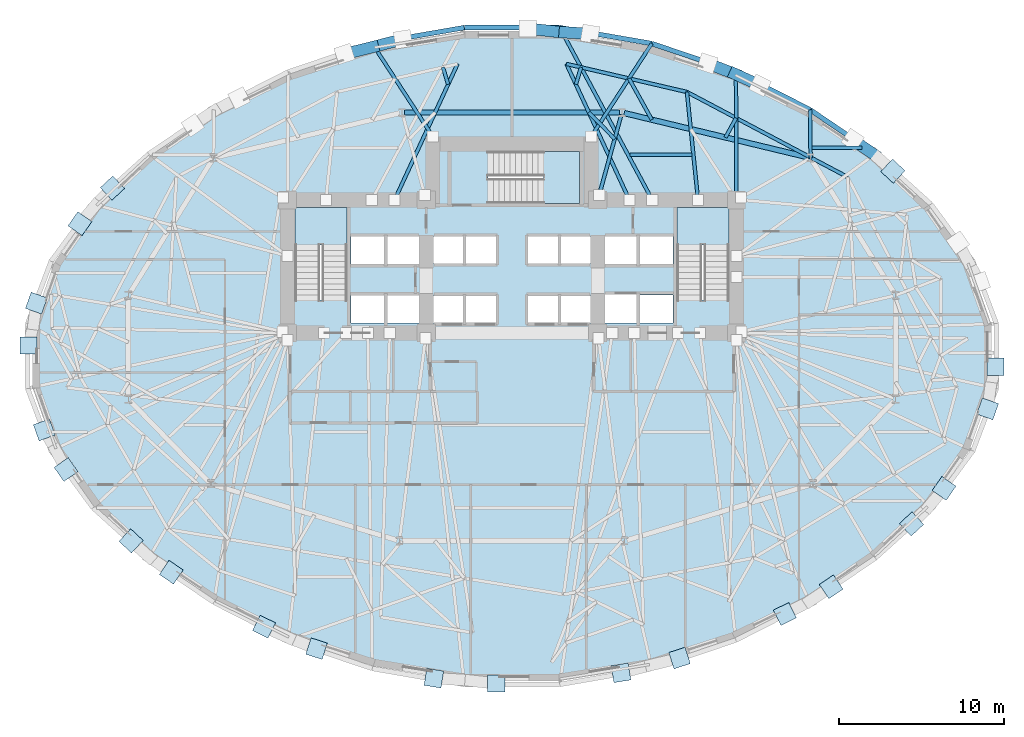
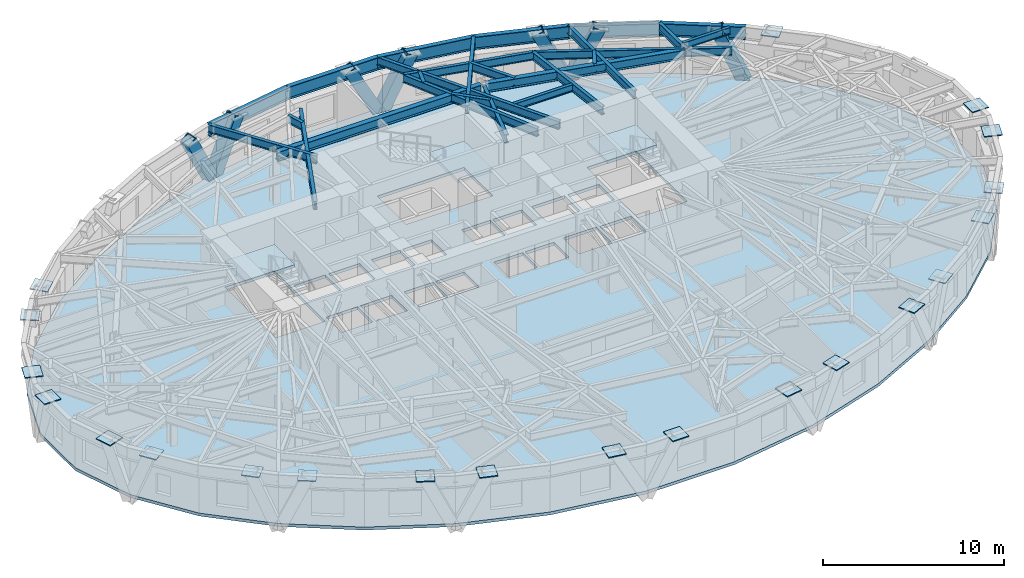
# One storey, part 5 of 14: 26 beams, 21 plates, 7 members, 4 slabs, 3 elements without a shape of their own.
"""IFC4 building model written with IfcOpenShell, lengths in metres."""

from ifc_helpers import new_model, si_unit, direction, frame, origin, origin_2d, place, context, subcontext, project, spatial, polyline, rectangle, hollow_rectangle, i_section, outline, extrude, material, layer, layer_set, material_profile, profile_set, type_object, element, aggregate, save


model = new_model("IFC4")

# Units and contexts
model_context = context("Model", 3, precision=1e-05, world=origin(), true_north=direction((0.0, 1.0)))
body_context = subcontext(model_context, "Body", "Model", "MODEL_VIEW")
ifc_project = project(units=[si_unit("LENGTHUNIT", "METRE"), si_unit("AREAUNIT", "SQUARE_METRE"), si_unit("VOLUMEUNIT", "CUBIC_METRE"), si_unit("PLANEANGLEUNIT", "RADIAN"), si_unit("MASSUNIT", "GRAM", prefix="KILO")], contexts=[model_context])

# Site, building, storey
site_placement = place(None, origin())
site = spatial("IfcSite", under=ifc_project, at=site_placement, CompositionType="ELEMENT")
building_placement = place(site_placement, origin())
building = spatial("IfcBuilding", under=site, at=building_placement, Name="Keldmark Tower", CompositionType="ELEMENT")
storey_placement = place(building_placement, frame((0.0, 0.0, 59.39990234375)))
storey = spatial("IfcBuildingStorey", under=building, at=storey_placement, Name="L15", CompositionType="ELEMENT", Elevation=59.39990234375)

# Beams
ifc_material_1 = material(Name="Steel ASTM A992 Grade 50", Category="steel")
ifc_material_profile_1 = material_profile(ifc_material_1, i_section(OverallWidth=0.19091796875, OverallDepth=0.45703125, WebThickness=0.009033203125, FlangeThickness=0.014404296875, at=origin_2d()), Name="W18X50")
ifc_profile_set_1 = profile_set([ifc_material_profile_1], Name="Steel ASTM A992 Grade 50")
beam_type_1 = type_object("IfcBeamType", Name="Composite Floor Joist W18X50", PredefinedType="JOIST", material=ifc_profile_set_1)
beam_1_placement = place(storey_placement, frame((7.14013671875, 12.199951171875, 3.171630859375), z_axis=(1.0, 0.0, 0.0), x_axis=(0.0, 1.0, 0.0)))
element("IfcBeam", 1, at=beam_1_placement, inside=storey, type_object=beam_type_1, Name="L15 Composite Floor Joist J17", PredefinedType="JOIST", context=body_context, shape_type="SweptSolid", body=[
    extrude(i_section(OverallWidth=0.19091796875, OverallDepth=0.45703125, WebThickness=0.009033203125, FlangeThickness=0.014404296875, at=origin_2d()), origin(), (0.0, 0.0, 1.0), 3.758544921875),
])
beam_2_placement = place(storey_placement, frame((18.1875, 12.6201171875, 3.171630859375), z_axis=(1.0, 0.0, 0.0), x_axis=(0.0, 1.0, 0.0)))
element("IfcBeam", 2, at=beam_2_placement, inside=storey, type_object=beam_type_1, Name="L15 Composite Floor Joist J18", PredefinedType="JOIST", context=body_context, shape_type="SweptSolid", body=[
    extrude(i_section(OverallWidth=0.19091796875, OverallDepth=0.45703125, WebThickness=0.009033203125, FlangeThickness=0.014404296875, at=origin_2d()), origin(), (0.0, 0.0, 1.0), 3.035400390625),
])

# Members
ifc_material_2 = material(Name="Steel ASTM A572 Grade 50", Category="steel")
ifc_material_profile_2 = material_profile(ifc_material_2, hollow_rectangle(XDim=0.699951171875, YDim=0.699951171875, WallThickness=0.054931640625, at=origin_2d()), Name="BOX700X700X55")
ifc_profile_set_2 = profile_set([ifc_material_profile_2], Name="Steel ASTM A572 Grade 50")
member_type = type_object("IfcMemberType", Name="Diagrid Zone 1 Brace BOX700X700X55", PredefinedType="BRACE", material=ifc_profile_set_2)
member_1_placement = place(storey_placement, frame((21.9599609375, 12.2060546875, -0.27978515625), z_axis=(-0.335180886725, 0.23055432956, 0.91350888025), x_axis=(-0.566724882809, -0.823907098649, 0.0)))
element("IfcMember", 3, at=member_1_placement, inside=storey, type_object=member_type, Name="L15 Perimeter Diagrid Brace 02B", PredefinedType="BRACE", context=body_context, shape_type="SweptSolid", body=[
    extrude(hollow_rectangle(XDim=0.699951171875, YDim=0.699951171875, WallThickness=0.054931640625, at=origin_2d()), origin(), (0.0, 0.0, 1.0), 3.89697265625),
])
member_2_placement = place(storey_placement, frame((13.48681640625, 17.1083984375, -0.27978515625), z_axis=(0.392084661773, -0.177781362269, 0.902587062411), x_axis=(0.412957768133, 0.910750175262, 0.0)))
element("IfcMember", 4, at=member_2_placement, inside=storey, type_object=member_type, Name="L15 Perimeter Diagrid Brace 03A", PredefinedType="BRACE", context=body_context, shape_type="SweptSolid", body=[
    extrude(hollow_rectangle(XDim=0.699951171875, YDim=0.699951171875, WallThickness=0.054931640625, at=origin_2d()), origin(), (0.0, 0.0, 1.0), 3.944091796875),
])
member_3_placement = place(storey_placement, frame((13.49658203125, 17.101806640625, -0.27978515625), z_axis=(-0.415439580349, 0.160096228525, 0.895421215235), x_axis=(-0.359589032311, -0.933110780048, 0.0)))
element("IfcMember", 5, at=member_3_placement, inside=storey, type_object=member_type, Name="L15 Perimeter Diagrid Brace 03B", PredefinedType="BRACE", context=body_context, shape_type="SweptSolid", body=[
    extrude(hollow_rectangle(XDim=0.699951171875, YDim=0.699951171875, WallThickness=0.054931640625, at=origin_2d()), origin(), (0.0, 0.0, 1.0), 3.9755859375),
])
member_4_placement = place(storey_placement, frame((2.844482421875, 19.642822265625, -0.27978515625), z_axis=(0.468860985223, -0.028637815859, 0.882807596274), x_axis=(0.060965928199, 0.998139847716, 0.0)))
element("IfcMember", 6, at=member_4_placement, inside=storey, type_object=member_type, Name="L15 Perimeter Diagrid Brace 04A", PredefinedType="BRACE", context=body_context, shape_type="SweptSolid", body=[
    extrude(hollow_rectangle(XDim=0.699951171875, YDim=0.699951171875, WallThickness=0.054931640625, at=origin_2d()), origin(), (0.0, 0.0, 1.0), 4.032470703125),
])
member_5_placement = place(storey_placement, frame((2.856201171875, 19.640380859375, -0.27978515625), z_axis=(-0.46989619452, 0.051310851337, 0.881229120553), x_axis=(-0.108550889837, -0.994090893387, 0.0)))
element("IfcMember", 7, at=member_5_placement, inside=storey, type_object=member_type, Name="L15 Perimeter Diagrid Brace 04B", PredefinedType="BRACE", context=body_context, shape_type="SweptSolid", body=[
    extrude(hollow_rectangle(XDim=0.699951171875, YDim=0.699951171875, WallThickness=0.054931640625, at=origin_2d()), origin(), (0.0, 0.0, 1.0), 4.03955078125),
])
member_6_placement = place(storey_placement, frame((-8.4052734375, 18.739013671875, -0.27978515625), z_axis=(0.447842447111, 0.115472207341, 0.886624673635), x_axis=(-0.249675217965, 0.968329636815, 0.0)))
element("IfcMember", 8, at=member_6_placement, inside=storey, type_object=member_type, Name="L15 Perimeter Diagrid Brace 05A", PredefinedType="BRACE", context=body_context, shape_type="SweptSolid", body=[
    extrude(hollow_rectangle(XDim=0.699951171875, YDim=0.699951171875, WallThickness=0.054931640625, at=origin_2d()), origin(), (0.0, 0.0, 1.0), 4.01513671875),
])
member_7_placement = place(storey_placement, frame((-8.393798828125, 18.7412109375, -0.27978515625), z_axis=(-0.441031186256, -0.108394198451, 0.890922101248), x_axis=(0.238671651166, -0.971100325883, 0.0)))
element("IfcMember", 9, at=member_7_placement, inside=storey, type_object=member_type, Name="L15 Perimeter Diagrid Brace 05B", PredefinedType="BRACE", context=body_context, shape_type="SweptSolid", body=[
    extrude(hollow_rectangle(XDim=0.699951171875, YDim=0.699951171875, WallThickness=0.054931640625, at=origin_2d()), origin(), (0.0, 0.0, 1.0), 3.99560546875),
])

# Beams
ifc_material_3 = material(Name="Steel ASTM A992 Grade 50", Category="steel")
ifc_material_profile_3 = material_profile(ifc_material_3, i_section(OverallWidth=0.323974609375, OverallDepth=0.611083984375, WebThickness=0.0126953125, FlangeThickness=0.01904296875, at=origin_2d()), Name="W24X104")
ifc_profile_set_3 = profile_set([ifc_material_profile_3], Name="Steel ASTM A992 Grade 50")
beam_type_2 = type_object("IfcBeamType", Name="Primary Floor Girder W24X104", PredefinedType="BEAM", material=ifc_profile_set_3)
beam_3_placement = place(storey_placement, frame((17.961669921875, 12.040283203125, 3.094482421875), z_axis=(-0.972218707757, 0.2340743136, 0.0), x_axis=(-0.2340743136, -0.972218707757, 0.0)))
element("IfcBeam", 10, at=beam_3_placement, inside=storey, type_object=beam_type_2, Name="L15 Floor Ring Girder FG-R02", PredefinedType="BEAM", context=body_context, shape_type="SweptSolid", body=[
    extrude(i_section(OverallWidth=0.323974609375, OverallDepth=0.611083984375, WebThickness=0.0126953125, FlangeThickness=0.01904296875, at=origin_2d()), origin(), (0.0, 0.0, 1.0), 11.479248046875),
])
beam_4_placement = place(storey_placement, frame((6.525146484375, 14.760009765625, 3.094482421875), z_axis=(-1.0, 0.0, 0.0), x_axis=(0.0, -1.0, 0.0)))
element("IfcBeam", 11, at=beam_4_placement, inside=storey, type_object=beam_type_2, Name="L15 Floor Ring Girder FG-R03", PredefinedType="BEAM", context=body_context, shape_type="SweptSolid", body=[
    extrude(i_section(OverallWidth=0.323974609375, OverallDepth=0.611083984375, WebThickness=0.0126953125, FlangeThickness=0.01904296875, at=origin_2d()), origin(), (0.0, 0.0, 1.0), 13.05029296875),
])
ifc_material_4 = material(Name="Steel ASTM A992 Grade 50", Category="steel")
ifc_material_profile_4 = material_profile(ifc_material_4, i_section(OverallWidth=0.2099609375, OverallDepth=0.537109375, WebThickness=0.010986328125, FlangeThickness=0.017333984375, at=origin_2d()), Name="W21X68")
ifc_profile_set_4 = profile_set([ifc_material_profile_4], Name="Steel ASTM A992 Grade 50")
beam_type_3 = type_object("IfcBeamType", Name="Radial Tie Girder W21X68", PredefinedType="BEAM", material=ifc_profile_set_4)
beam_5_placement = place(storey_placement, frame((11.278564453125, 9.449951171875, 3.131591796875), z_axis=(-0.10246421602, 0.994736691007, 0.0), x_axis=(-0.994736691007, -0.10246421602, 0.0)))
element("IfcBeam", 12, at=beam_5_placement, inside=storey, type_object=beam_type_3, Name="L15 Sub-Ring Step Girder STP1-M02", PredefinedType="BEAM", context=body_context, shape_type="SweptSolid", body=[
    extrude(i_section(OverallWidth=0.2099609375, OverallDepth=0.537109375, WebThickness=0.010986328125, FlangeThickness=0.017333984375, at=origin_2d()), origin(), (0.0, 0.0, 1.0), 6.588134765625),
])
beam_6_placement = place(storey_placement, frame((6.22509765625, 13.1650390625, 3.131591796875), z_axis=(-0.6999653852, 0.7141767705, 0.0), x_axis=(-0.7141767705, -0.6999653852, 0.0)))
element("IfcBeam", 13, at=beam_6_placement, inside=storey, type_object=beam_type_3, Name="L15 Framing Pin Header PH-003", PredefinedType="BEAM", context=body_context, shape_type="SweptSolid", body=[
    extrude(i_section(OverallWidth=0.2099609375, OverallDepth=0.537109375, WebThickness=0.010986328125, FlangeThickness=0.017333984375, at=origin_2d()), origin(), (0.0, 0.0, 1.0), 2.2333984375),
])
for number, where, z_axis, x_axis, name in (
    (14, (7.121337890625, 9.449951171875, 3.131591796875), (-0.420288061242, 0.907390734787, 0.0), (-0.907390734787, -0.420288061242, 0.0), "L15 Sub-Ring Step Girder STP1-M03"),
    (15, (-7.121337890625, 9.449951171875, 3.131591796875), (0.420288061242, 0.907390734787, 0.0), (-0.907390734787, 0.420288061242, 0.0), "L15 Sub-Ring Step Girder STP1-M04"),
):
    element("IfcBeam", number, at=place(storey_placement, frame(where, z_axis=z_axis, x_axis=x_axis)), inside=storey, type_object=beam_type_3, Name=name, PredefinedType="BEAM", context=body_context, shape_type="SweptSolid", body=[
        extrude(i_section(OverallWidth=0.2099609375, OverallDepth=0.537109375, WebThickness=0.010986328125, FlangeThickness=0.017333984375, at=origin_2d()), origin(), (0.0, 0.0, 1.0), 9.098388671875),
    ])
beam_7_placement = place(storey_placement, frame((20.339599609375, 10.85009765625, 3.131591796875), z_axis=(-0.883828345093, 0.46781134703, 0.0), x_axis=(-0.46781134703, -0.883828345093, 0.0)))
element("IfcBeam", 16, at=beam_7_placement, inside=storey, type_object=beam_type_3, Name="L15 Perimeter Collector Ring Beam CRG1-M01", PredefinedType="BEAM", context=body_context, shape_type="SweptSolid", body=[
    extrude(i_section(OverallWidth=0.2099609375, OverallDepth=0.537109375, WebThickness=0.010986328125, FlangeThickness=0.017333984375, at=origin_2d()), origin(), (0.0, 0.0, 1.0), 11.015869140625),
])
beam_8_placement = place(storey_placement, frame((10.603515625, 16.00341796875, 3.131591796875), z_axis=(-0.973911258142, 0.226929198791, 0.0), x_axis=(-0.226929198791, -0.973911258142, 0.0)))
element("IfcBeam", 17, at=beam_8_placement, inside=storey, type_object=beam_type_3, Name="L15 Perimeter Collector Ring Beam CRG1-M02", PredefinedType="BEAM", context=body_context, shape_type="SweptSolid", body=[
    extrude(i_section(OverallWidth=0.2099609375, OverallDepth=0.537109375, WebThickness=0.010986328125, FlangeThickness=0.017333984375, at=origin_2d()), origin(), (0.0, 0.0, 1.0), 7.501953125),
])
beam_9_placement = place(storey_placement, frame((18.09765625, 12.00732421875, 3.131591796875), z_axis=(-0.010116539131, 0.999948826509, 0.0), x_axis=(-0.999948826509, -0.010116539131, 0.0)))
element("IfcBeam", 18, at=beam_9_placement, inside=storey, type_object=beam_type_3, Name="L15 Perimeter Column Bracket RT-05", PredefinedType="BEAM", context=body_context, shape_type="SweptSolid", body=[
    extrude(i_section(OverallWidth=0.2099609375, OverallDepth=0.537109375, WebThickness=0.010986328125, FlangeThickness=0.017333984375, at=origin_2d()), origin(), (0.0, 0.0, 1.0), 2.920166015625),
])
beam_10_placement = place(storey_placement, frame((12.939453125, 13.249267578125, 3.131591796875), z_axis=(0.47988457193, 0.877331634916, 0.0), x_axis=(-0.877331634916, 0.47988457193, 0.0)))
element("IfcBeam", 19, at=beam_10_placement, inside=storey, type_object=beam_type_3, Name="L15 Framing Pin Header PH-018", PredefinedType="BEAM", context=body_context, shape_type="SweptSolid", body=[
    extrude(i_section(OverallWidth=0.2099609375, OverallDepth=0.537109375, WebThickness=0.010986328125, FlangeThickness=0.017333984375, at=origin_2d()), origin(), (0.0, 0.0, 1.0), 1.341552734375),
])
beam_11_placement = place(storey_placement, frame((13.60009765625, 9.89990234375, 3.131591796875), z_axis=(-0.003703678301, 0.99999314136, 0.0), x_axis=(-0.99999314136, -0.003703678301, 0.0)))
element("IfcBeam", 20, at=beam_11_placement, inside=storey, type_object=beam_type_3, Name="L15 Perimeter Radial Tie Girder RT-06", PredefinedType="BEAM", context=body_context, shape_type="SweptSolid", body=[
    extrude(i_section(OverallWidth=0.2099609375, OverallDepth=0.537109375, WebThickness=0.010986328125, FlangeThickness=0.017333984375, at=origin_2d()), origin(), (0.0, 0.0, 1.0), 7.31689453125),
])
beam_12_placement = place(storey_placement, frame((8.475341796875, 14.32421875, 3.131591796875), z_axis=(-0.484124100388, 0.874999345956, 0.0), x_axis=(-0.874999345956, -0.484124100388, 0.0)))
element("IfcBeam", 21, at=beam_12_placement, inside=storey, type_object=beam_type_3, Name="L15 Framing Pin Header PH-019", PredefinedType="BEAM", context=body_context, shape_type="SweptSolid", body=[
    extrude(i_section(OverallWidth=0.2099609375, OverallDepth=0.537109375, WebThickness=0.010986328125, FlangeThickness=0.017333984375, at=origin_2d()), origin(), (0.0, 0.0, 1.0), 2.853759765625),
])
beam_13_placement = place(storey_placement, frame((4.800048828125, 13.300048828125, 3.131591796875), z_axis=(0.545829548624, 0.837896236923, 0.0), x_axis=(-0.837896236923, 0.545829548624, 0.0)))
element("IfcBeam", 22, at=beam_13_placement, inside=storey, type_object=beam_type_3, Name="L15 Perimeter Radial Tie Girder RT-07", PredefinedType="BEAM", context=body_context, shape_type="SweptSolid", body=[
    extrude(i_section(OverallWidth=0.2099609375, OverallDepth=0.537109375, WebThickness=0.010986328125, FlangeThickness=0.017333984375, at=origin_2d()), origin(), (0.0, 0.0, 1.0), 6.730712890625),
])
beam_14_placement = place(storey_placement, frame((3.870849609375, 16.46728515625, 3.131591796875), z_axis=(0.291395856283, 0.956602558506, 0.0), x_axis=(-0.956602558506, 0.291395856283, 0.0)))
element("IfcBeam", 23, at=beam_14_placement, inside=storey, type_object=beam_type_3, Name="L15 Framing Pin Header PH-020", PredefinedType="BEAM", context=body_context, shape_type="SweptSolid", body=[
    extrude(i_section(OverallWidth=0.2099609375, OverallDepth=0.537109375, WebThickness=0.010986328125, FlangeThickness=0.017333984375, at=origin_2d()), origin(), (0.0, 0.0, 1.0), 1.078369140625),
])
beam_15_placement = place(storey_placement, frame((8.507080078125, 9.449951171875, 3.131591796875), z_axis=(-0.473080222213, 0.881019354697, 0.0), x_axis=(-0.881019354697, -0.473080222213, 0.0)))
element("IfcBeam", 24, at=beam_15_placement, inside=storey, type_object=beam_type_3, Name="L15 Perimeter Radial Tie Girder RT-08", PredefinedType="BEAM", context=body_context, shape_type="SweptSolid", body=[
    extrude(i_section(OverallWidth=0.2099609375, OverallDepth=0.537109375, WebThickness=0.010986328125, FlangeThickness=0.017333984375, at=origin_2d()), origin(), (0.0, 0.0, 1.0), 11.86962890625),
])
beam_16_placement = place(storey_placement, frame((-3.870849609375, 16.46728515625, 3.131591796875), z_axis=(-0.291395856283, 0.956602558506, 0.0), x_axis=(-0.956602558506, -0.291395856283, 0.0)))
element("IfcBeam", 25, at=beam_16_placement, inside=storey, type_object=beam_type_3, Name="L15 Framing Pin Header PH-021", PredefinedType="BEAM", context=body_context, shape_type="SweptSolid", body=[
    extrude(i_section(OverallWidth=0.2099609375, OverallDepth=0.537109375, WebThickness=0.010986328125, FlangeThickness=0.017333984375, at=origin_2d()), origin(), (0.0, 0.0, 1.0), 1.078369140625),
])
beam_17_placement = place(storey_placement, frame((-4.800048828125, 13.300048828125, 3.131591796875), z_axis=(-0.545829548624, 0.837896236923, 0.0), x_axis=(-0.837896236923, -0.545829548624, 0.0)))
element("IfcBeam", 26, at=beam_17_placement, inside=storey, type_object=beam_type_3, Name="L15 Perimeter Radial Tie Girder RT-10", PredefinedType="BEAM", context=body_context, shape_type="SweptSolid", body=[
    extrude(i_section(OverallWidth=0.2099609375, OverallDepth=0.537109375, WebThickness=0.010986328125, FlangeThickness=0.017333984375, at=origin_2d()), origin(), (0.0, 0.0, 1.0), 6.730712890625),
])
ifc_material_5 = material(Name="Steel ASTM A992 Grade 50", Category="steel")
ifc_material_profile_5 = material_profile(ifc_material_5, i_section(OverallWidth=0.214111328125, OverallDepth=0.549072265625, WebThickness=0.0146484375, FlangeThickness=0.023681640625, at=origin_2d()), Name="W21X93")
ifc_profile_set_5 = profile_set([ifc_material_profile_5], Name="Steel ASTM A992 Grade 50")
beam_type_4 = type_object("IfcBeamType", Name="Radial Tie Girder W21X93", PredefinedType="BEAM", material=ifc_profile_set_5)
beam_18_placement = place(storey_placement, frame((6.6279296875, 14.625, 3.12548828125), z_axis=(-0.265984786353, -0.963977226613, 0.0), x_axis=(0.963977226613, -0.265984786353, 0.0)))
element("IfcBeam", 27, at=beam_18_placement, inside=storey, type_object=beam_type_4, Name="L15 Floor Radial Girder FG-C03", PredefinedType="BEAM", context=body_context, shape_type="SweptSolid", body=[
    extrude(i_section(OverallWidth=0.214111328125, OverallDepth=0.549072265625, WebThickness=0.0146484375, FlangeThickness=0.023681640625, at=origin_2d()), origin(), (0.0, 0.0, 1.0), 5.04833984375),
])
ifc_material_6 = material(Name="Steel ASTM A992 Grade 50", Category="steel")
ifc_material_profile_6 = material_profile(ifc_material_6, i_section(OverallWidth=0.2919921875, OverallDepth=0.85888671875, WebThickness=0.01708984375, FlangeThickness=0.031005859375, at=origin_2d()), Name="W33X169")
ifc_profile_set_6 = profile_set([ifc_material_profile_6], Name="Steel ASTM A992 Grade 50")
beam_type_5 = type_object("IfcBeamType", Name="Spandrel Ring Beam W33X169", PredefinedType="SPANDREL", material=ifc_profile_set_6)
beam_19_placement = place(storey_placement, frame((22.01611328125, 12.25048828125, 2.970703125), z_axis=(-0.827693991977, 0.561179699959, 0.0), x_axis=(-0.561179699959, -0.827693991977, 0.0)))
element("IfcBeam", 28, at=beam_19_placement, inside=storey, type_object=beam_type_5, Name="L15 Perimeter Spandrel Ring Beam SRB-04", PredefinedType="SPANDREL", context=body_context, shape_type="SweptSolid", body=[
    extrude(i_section(OverallWidth=0.2919921875, OverallDepth=0.85888671875, WebThickness=0.01708984375, FlangeThickness=0.031005859375, at=origin_2d()), origin(), (0.0, 0.0, 1.0), 4.769775390625),
])
beam_20_placement = place(storey_placement, frame((18.068115234375, 14.92724609375, 2.970703125), z_axis=(-0.891072734441, 0.45386053137, 0.0), x_axis=(-0.45386053137, -0.891072734441, 0.0)))
element("IfcBeam", 29, at=beam_20_placement, inside=storey, type_object=beam_type_5, Name="L15 Perimeter Spandrel Ring Beam SRB-05", PredefinedType="SPANDREL", context=body_context, shape_type="SweptSolid", body=[
    extrude(i_section(OverallWidth=0.2919921875, OverallDepth=0.85888671875, WebThickness=0.01708984375, FlangeThickness=0.031005859375, at=origin_2d()), origin(), (0.0, 0.0, 1.0), 5.044677734375),
])
beam_21_placement = place(storey_placement, frame((13.572998046875, 17.216796875, 2.970703125), z_axis=(-0.947382619443, 0.320103377641, 0.0), x_axis=(-0.320103377641, -0.947382619443, 0.0)))
element("IfcBeam", 30, at=beam_21_placement, inside=storey, type_object=beam_type_5, Name="L15 Perimeter Spandrel Ring Beam SRB-06", PredefinedType="SPANDREL", context=body_context, shape_type="SweptSolid", body=[
    extrude(i_section(OverallWidth=0.2919921875, OverallDepth=0.85888671875, WebThickness=0.01708984375, FlangeThickness=0.031005859375, at=origin_2d()), origin(), (0.0, 0.0, 1.0), 5.38232421875),
])
beam_22_placement = place(storey_placement, frame((8.473876953125, 18.939697265625, 2.970703125), z_axis=(-0.985308697227, 0.170782818716, 0.0), x_axis=(-0.170782818716, -0.985308697227, 0.0)))
element("IfcBeam", 31, at=beam_22_placement, inside=storey, type_object=beam_type_5, Name="L15 Perimeter Spandrel Ring Beam SRB-07", PredefinedType="SPANDREL", context=body_context, shape_type="SweptSolid", body=[
    extrude(i_section(OverallWidth=0.2919921875, OverallDepth=0.85888671875, WebThickness=0.01708984375, FlangeThickness=0.031005859375, at=origin_2d()), origin(), (0.0, 0.0, 1.0), 5.665283203125),
])
beam_23_placement = place(storey_placement, frame((2.891845703125, 19.9072265625, 2.970703125), z_axis=(-1.0, 0.0, 0.0), x_axis=(0.0, -1.0, 0.0)))
element("IfcBeam", 32, at=beam_23_placement, inside=storey, type_object=beam_type_5, Name="L15 Perimeter Spandrel Ring Beam SRB-08", PredefinedType="SPANDREL", context=body_context, shape_type="SweptSolid", body=[
    extrude(i_section(OverallWidth=0.2919921875, OverallDepth=0.85888671875, WebThickness=0.01708984375, FlangeThickness=0.031005859375, at=origin_2d()), origin(), (0.0, 0.0, 1.0), 5.78369140625),
])
beam_24_placement = place(storey_placement, frame((-2.891845703125, 19.9072265625, 2.970703125), z_axis=(-0.985308697227, -0.170782818716, 0.0), x_axis=(0.170782818716, -0.985308697227, 0.0)))
element("IfcBeam", 33, at=beam_24_placement, inside=storey, type_object=beam_type_5, Name="L15 Perimeter Spandrel Ring Beam SRB-09", PredefinedType="SPANDREL", context=body_context, shape_type="SweptSolid", body=[
    extrude(i_section(OverallWidth=0.2919921875, OverallDepth=0.85888671875, WebThickness=0.01708984375, FlangeThickness=0.031005859375, at=origin_2d()), origin(), (0.0, 0.0, 1.0), 5.665283203125),
])

# Plates
ifc_material_7 = material(Name="Steel ASTM A572 Grade 50", Category="steel")
ifc_layer_1 = layer(ifc_material_7, 0.06494140625)
ifc_layer_set_1 = layer_set([ifc_layer_1], Name="Steel ASTM A572 Grade 50")
plate_type = type_object("IfcPlateType", Name="Diagrid Node Assembly DN02 65 mm", PredefinedType="USERDEFINED", material=ifc_layer_set_1)
for number, where, z_axis, x_axis, name in (
    (34, (23.0888671875, 11.206298828125, 3.24755859375), (0.0, 0.0, 1.0), (-0.731353701619, 0.681998360062, 0.0), "L15 Diagrid Node Assembly 03"),
    (35, (-24.220947265625, 10.180419921875, 3.24755859375), (0.0, 0.0, 1.0), (-0.731353701619, -0.681998360062, 0.0), "L15 Diagrid Node Assembly 13"),
    (36, (-26.187255859375, 8.02197265625, 3.24755859375), (0.0, 0.0, 1.0), (-0.573147450739, -0.819452255907, 0.0), "L15 Diagrid Node Assembly 14"),
    (37, (-28.828125, 3.204833984375, 3.24755859375), (0.0, 0.0, 1.0), (-0.333313247568, -0.942816142732, 0.0), "L15 Diagrid Node Assembly 15"),
    (38, (-29.301513671875, 0.647705078125, 3.24755859375), (0.0, 0.0, 1.0), (0.0, -1.0, 0.0), "L15 Diagrid Node Assembly 16"),
    (39, (-28.35009765625, -4.477783203125, 3.24755859375), (0.0, 0.0, 1.0), (0.333313247568, -0.942816142732, 0.0), "L15 Diagrid Node Assembly 17"),
    (40, (-27.02978515625, -6.88037109375, 3.24755859375), (0.0, 0.0, 1.0), (0.573147450739, -0.819452255907, 0.0), "L15 Diagrid Node Assembly 18"),
    (41, (-23.0888671875, -11.206298828125, 3.24755859375), (0.0, 0.0, 1.0), (0.731353701619, -0.681998360062, 0.0), "L15 Diagrid Node Assembly 19"),
    (42, (-20.65380859375, -13.1044921875, 3.24755859375), (0.0, 0.0, 1.0), (0.827668733006, -0.561216953062, 0.0), "L15 Diagrid Node Assembly 20"),
    (43, (-15.033203125, -16.4072265625, 3.24755859375), (0.0, 0.0, 1.0), (0.896949921811, -0.44213214966, 0.0), "L15 Diagrid Node Assembly 21"),
    (44, (-11.844970703125, -17.73828125, 3.24755859375), (0.0, 0.0, 1.0), (0.952022626946, -0.306027642189, 0.0), "L15 Diagrid Node Assembly 22"),
    (45, (-4.735107421875, -19.52734375, 3.24755859375), (0.0, 0.0, 1.0), (0.987052416168, -0.160398029092, 0.0), "L15 Diagrid Node Assembly 23"),
    (46, (-0.9580078125, -19.84765625, 3.24755859375), (0.0, 0.0, 1.0), (1.0, 0.0, 0.0), "L15 Diagrid Node Assembly 24"),
    (47, (6.607177734375, -19.20263671875, 3.24755859375), (0.0, 0.0, 1.0), (0.987052416168, 0.160398029092, 0.0), "L15 Diagrid Node Assembly 25"),
    (48, (10.156005859375, -18.30810546875, 3.24755859375), (0.0, 0.0, 1.0), (0.952022626946, 0.306027642189, 0.0), "L15 Diagrid Node Assembly 26"),
    (49, (16.54150390625, -15.637451171875, 3.24755859375), (0.0, 0.0, 1.0), (0.896949921811, 0.44213214966, 0.0), "L15 Diagrid Node Assembly 27"),
    (50, (19.345947265625, -13.988525390625, 3.24755859375), (0.0, 0.0, 1.0), (0.827668733006, 0.561216953062, 0.0), "L15 Diagrid Node Assembly 28"),
    (51, (24.220947265625, -10.180419921875, 3.24755859375), (0.0, 0.0, 1.0), (0.731353701619, 0.681998360062, 0.0), "L15 Diagrid Node Assembly 29"),
    (52, (26.187255859375, -8.02197265625, 3.24755859375), (0.0, 0.0, 1.0), (0.573147450739, 0.819452255907, 0.0), "L15 Diagrid Node Assembly 30"),
    (53, (28.828125, -3.204833984375, 3.24755859375), (0.0, 0.0, 1.0), (0.333313247568, 0.942816142732, 0.0), "L15 Diagrid Node Assembly 31"),
    (54, (29.301513671875, -0.647705078125, 3.24755859375), (0.0, 0.0, 1.0), (0.0, 1.0, 0.0), "L15 Diagrid Node Assembly 32"),
):
    element("IfcPlate", number, at=place(storey_placement, frame(where, z_axis=z_axis, x_axis=x_axis)), inside=storey, type_object=plate_type, Name=name, ObjectType="GUSSET", PredefinedType="USERDEFINED", context=body_context, shape_type="SweptSolid", body=[
        extrude(rectangle(XDim=1.0400390625, YDim=1.0400390625, at=origin_2d()), origin(), (0.0, 0.0, 1.0), 0.06494140625),
    ])

# Slab
ifc_material_8 = material(Name="Concrete C35/45", Category="concrete")
ifc_layer_2 = layer(ifc_material_8, 0.199951171875)
ifc_layer_set_2 = layer_set([ifc_layer_2], Name="Concrete C35/45")
slab_type_1 = type_object("IfcSlabType", Name="Low-Rise Office Composite Slab 200 mm", PredefinedType="FLOOR", material=ifc_layer_set_2)
slab_1_placement = place(storey_placement, frame((0.0, 0.0, -0.199951171875)))
element("IfcSlab", 55, at=slab_1_placement, inside=storey, type_object=slab_type_1, Name="L15 Composite Structural Floor Slab", PredefinedType="FLOOR", context=body_context, shape_type="SweptSolid", body=[
    extrude(outline(polyline([(29.05810546875, 1.940185546875), (27.72802734375, 5.702392578125), (25.303466796875, 9.16943359375), (22.00634765625, 12.244140625), (18.06005859375, 14.91943359375), (13.52490234375, 17.15478515625), (8.4111328125, 18.798583984375), (2.862060546875, 19.7001953125), (-2.862060546875, 19.7001953125), (-8.4111328125, 18.798583984375), (-13.52490234375, 17.15478515625), (-18.06005859375, 14.91943359375), (-22.00634765625, 12.244140625), (-25.303466796875, 9.16943359375), (-27.72802734375, 5.702392578125), (-29.05810546875, 1.940185546875), (-29.05810546875, -1.940185546875), (-27.72802734375, -5.702392578125), (-25.303466796875, -9.16943359375), (-22.00634765625, -12.244140625), (-18.06005859375, -14.91943359375), (-13.52490234375, -17.15478515625), (-8.4111328125, -18.798583984375), (-2.862060546875, -19.7001953125), (2.862060546875, -19.7001953125), (8.4111328125, -18.798583984375), (13.52490234375, -17.15478515625), (18.06005859375, -14.91943359375), (22.00634765625, -12.244140625), (25.303466796875, -9.16943359375), (27.72802734375, -5.702392578125), (29.05810546875, -1.940185546875), (29.05810546875, 1.940185546875)]), holes=[polyline([(-10.0, 3.385009765625), (-10.0, 9.0), (-13.14990234375, 9.0), (-13.14990234375, 3.385009765625), (-10.0, 3.385009765625)]), polyline([(13.14990234375, 3.385009765625), (13.14990234375, 9.0), (10.0, 9.0), (10.0, 3.385009765625), (13.14990234375, 3.385009765625)]), polyline([(-1.43994140625, 9.25), (4.10498046875, 9.25), (4.10498046875, 12.39990234375), (-1.43994140625, 12.39990234375), (-1.43994140625, 9.25)]), polyline([(-9.75, 2.0), (-7.75, 2.0), (-7.75, 3.699951171875), (-9.75, 3.699951171875), (-9.75, 2.0)]), polyline([(7.75, 2.0), (9.75, 2.0), (9.75, 3.699951171875), (7.75, 3.699951171875), (7.75, 2.0)]), polyline([(5.449951171875, 2.0), (7.550048828125, 2.0), (7.550048828125, 3.75), (5.449951171875, 3.75), (5.449951171875, 2.0)]), polyline([(-4.800048828125, 2.0), (-2.949951171875, 2.0), (-2.949951171875, 3.64990234375), (-4.800048828125, 3.64990234375), (-4.800048828125, 2.0)]), polyline([(-2.800048828125, 2.0), (-0.949951171875, 2.0), (-0.949951171875, 3.64990234375), (-2.800048828125, 3.64990234375), (-2.800048828125, 2.0)]), polyline([(0.949951171875, 2.0), (2.800048828125, 2.0), (2.800048828125, 3.64990234375), (0.949951171875, 3.64990234375), (0.949951171875, 2.0)]), polyline([(2.949951171875, 2.0), (4.800048828125, 2.0), (4.800048828125, 3.64990234375), (2.949951171875, 3.64990234375), (2.949951171875, 2.0)]), polyline([(-4.800048828125, 5.60009765625), (-2.949951171875, 5.60009765625), (-2.949951171875, 7.25), (-4.800048828125, 7.25), (-4.800048828125, 5.60009765625)]), polyline([(-2.800048828125, 5.60009765625), (-0.949951171875, 5.60009765625), (-0.949951171875, 7.25), (-2.800048828125, 7.25), (-2.800048828125, 5.60009765625)]), polyline([(0.949951171875, 5.60009765625), (2.800048828125, 5.60009765625), (2.800048828125, 7.25), (0.949951171875, 7.25), (0.949951171875, 5.60009765625)]), polyline([(2.949951171875, 5.60009765625), (4.800048828125, 5.60009765625), (4.800048828125, 7.25), (2.949951171875, 7.25), (2.949951171875, 5.60009765625)]), polyline([(-9.75, 5.550048828125), (-7.75, 5.550048828125), (-7.75, 7.25), (-9.75, 7.25), (-9.75, 5.550048828125)]), polyline([(-7.550048828125, 5.550048828125), (-5.550048828125, 5.550048828125), (-5.550048828125, 7.25), (-7.550048828125, 7.25), (-7.550048828125, 5.550048828125)]), polyline([(-7.550048828125, 2.0), (-5.550048828125, 2.0), (-5.550048828125, 3.699951171875), (-7.550048828125, 3.699951171875), (-7.550048828125, 2.0)]), polyline([(5.449951171875, 5.550048828125), (7.550048828125, 5.550048828125), (7.550048828125, 7.25), (5.449951171875, 7.25), (5.449951171875, 5.550048828125)]), polyline([(7.75, 5.550048828125), (9.75, 5.550048828125), (9.75, 7.25), (7.75, 7.25), (7.75, 5.550048828125)])]), origin(), (0.0, 0.0, 1.0), 0.199951171875),
])

# Stair, slab
ifc_material_9 = material(Name="Concrete C40/50", Category="concrete")
stair_type = type_object("IfcStairType", Name="Precast Concrete Core Exit Stair", PredefinedType="HALF_TURN_STAIR", material=ifc_material_9)
stair_1_placement = place(storey_placement, origin())
stair_1 = element("IfcStair", 56, at=stair_1_placement, inside=storey, type_object=stair_type, Name="L15 Exit Stair ST1", PredefinedType="HALF_TURN_STAIR")
ifc_material_10 = material(Name="Concrete C40/50", Category="concrete")
ifc_layer_3 = layer(ifc_material_10, 0.199951171875)
ifc_layer_set_3 = layer_set([ifc_layer_3], Name="Concrete C40/50")
slab_type_2 = type_object("IfcSlabType", Name="Reinforced Concrete Stair Landing 200 mm", PredefinedType="LANDING", material=ifc_layer_set_3)
slab_2_placement = place(storey_placement, frame((0.0, 0.0, 1.60009765625)))
slab_2 = element("IfcSlab", 57, at=slab_2_placement, type_object=slab_type_2, Name="ST1 landing 1", PredefinedType="LANDING", context=body_context, shape_type="SweptSolid", body=[
    extrude(outline(polyline([(-10.0, 6.72998046875), (-10.0, 9.0), (-13.14990234375, 9.0), (-13.14990234375, 6.72998046875), (-10.0, 6.72998046875)])), origin(), (0.0, 0.0, 1.0), 0.199951171875),
])
aggregate(stair_1, [slab_2])

stair_2_placement = place(storey_placement, origin())
stair_2 = element("IfcStair", 58, at=stair_2_placement, inside=storey, type_object=stair_type, Name="L15 Exit Stair ST2", PredefinedType="HALF_TURN_STAIR")
slab_3_placement = place(storey_placement, frame((0.0, 0.0, 1.60009765625)))
slab_3 = element("IfcSlab", 59, at=slab_3_placement, type_object=slab_type_2, Name="ST2 landing 1", PredefinedType="LANDING", context=body_context, shape_type="SweptSolid", body=[
    extrude(outline(polyline([(13.14990234375, 6.72998046875), (13.14990234375, 9.0), (10.0, 9.0), (10.0, 6.72998046875), (13.14990234375, 6.72998046875)])), origin(), (0.0, 0.0, 1.0), 0.199951171875),
])
aggregate(stair_2, [slab_3])

stair_3_placement = place(storey_placement, origin())
stair_3 = element("IfcStair", 60, at=stair_3_placement, inside=storey, type_object=stair_type, Name="L15 Exit Stair ST3", PredefinedType="HALF_TURN_STAIR")
slab_4_placement = place(storey_placement, frame((0.0, 0.0, 1.60009765625)))
slab_4 = element("IfcSlab", 61, at=slab_4_placement, type_object=slab_type_2, Name="ST3 landing 1", PredefinedType="LANDING", context=body_context, shape_type="SweptSolid", body=[
    extrude(outline(polyline([(1.905029296875, 9.25), (4.10498046875, 9.25), (4.10498046875, 12.39990234375), (1.905029296875, 12.39990234375), (1.905029296875, 9.25)])), origin(), (0.0, 0.0, 1.0), 0.199951171875),
])
aggregate(stair_3, [slab_4])

save(model, "model.ifc")
